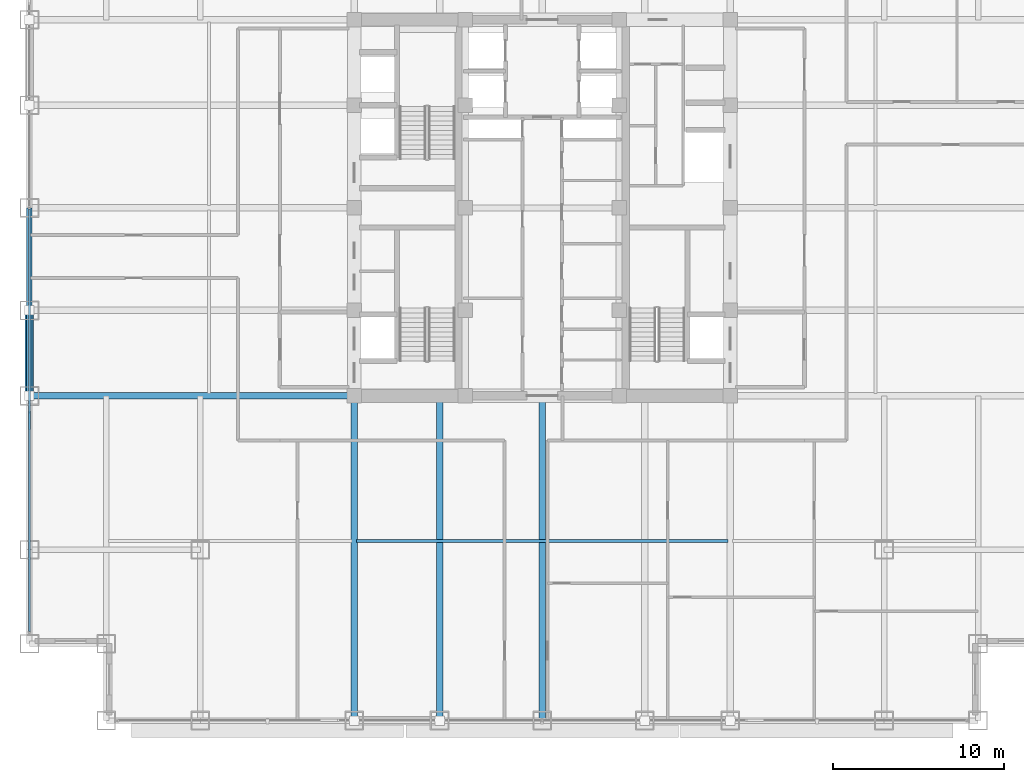
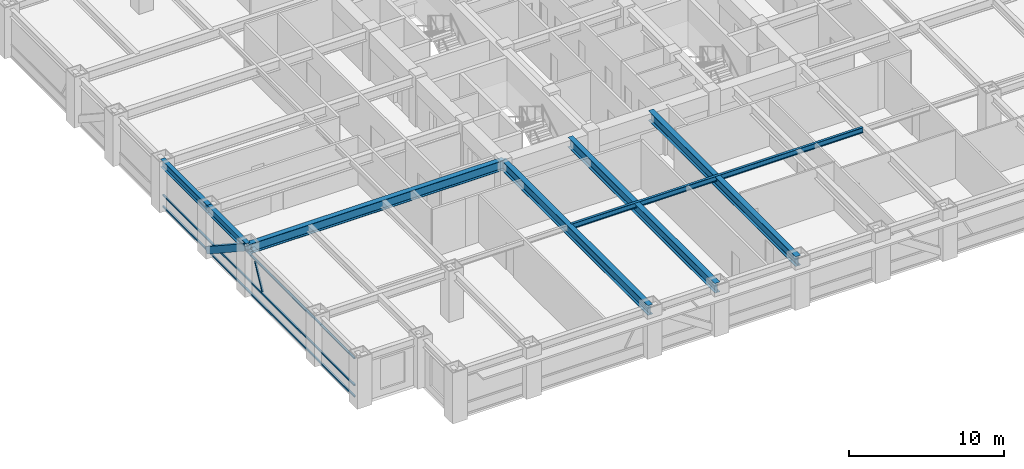
# One storey, part 5 of 28: 7 beams, 5 members, 1 element without a shape of its own.
"""IFC4 building model written with IfcOpenShell, lengths in metres."""

from ifc_helpers import new_model, si_unit, direction, frame, origin, origin_2d, place, context, subcontext, project, spatial, hollow_rectangle, i_section, extrude, source, transform, mapped, material, material_profile, profile_set, type_object, element, aggregate, save


model = new_model("IFC4")

# Units and contexts
model_context = context("Model", 3, precision=1e-05, world=origin(), true_north=direction((0.0, 1.0)))
body_context = subcontext(model_context, "Body", "Model", "MODEL_VIEW")
ifc_project = project(units=[si_unit("LENGTHUNIT", "METRE"), si_unit("AREAUNIT", "SQUARE_METRE"), si_unit("VOLUMEUNIT", "CUBIC_METRE"), si_unit("PLANEANGLEUNIT", "RADIAN"), si_unit("MASSUNIT", "GRAM", prefix="KILO")], contexts=[model_context])

# Site, building, storey
site_placement = place(None, origin())
site = spatial("IfcSite", under=ifc_project, at=site_placement, CompositionType="ELEMENT")
building_placement = place(site_placement, origin())
building = spatial("IfcBuilding", under=site, at=building_placement, Name="Khorayat Bourse Tower", CompositionType="ELEMENT")
storey_placement = place(building_placement, frame((0.0, 0.0, 191.10009765625)))
storey = spatial("IfcBuildingStorey", under=building, at=storey_placement, Name="L44", CompositionType="ELEMENT", Elevation=191.10009765625)

# Beams
ifc_material_1 = material(Name="Steel ASTM A992 Grade 50", Category="steel")
ifc_material_profile_1 = material_profile(ifc_material_1, i_section(OverallWidth=0.381103515625, OverallDepth=0.77294921875, WebThickness=0.0166015625, FlangeThickness=0.027587890625, FilletRadius=0.01806640625, at=origin_2d()), Name="W760X257")
ifc_profile_set_1 = profile_set([ifc_material_profile_1], Name="Steel ASTM A992 Grade 50")
beam_type_1 = type_object("IfcBeamType", Name="BM-GIRD-760", PredefinedType="BEAM", material=ifc_profile_set_1)
shared_shape_1 = source(origin(), body_context, "Body", "SweptSolid", [
    extrude(i_section(OverallWidth=0.381103515625, OverallDepth=0.77294921875, WebThickness=0.0166015625, FlangeThickness=0.027587890625, FilletRadius=0.01806640625, at=origin_2d()), origin(), (0.0, 0.0, 1.0), 19.0),
])
for number, where, z_axis, x_axis, name in (
    (1, (-11.0, -30.0, 3.393310546875), (0.0, 1.0, 0.0), (-1.0, 0.0, 0.0), "L44 BM-GIRD-760 BM-L44-RADY-065"),
    (2, (-6.0, -30.0, 3.393310546875), (0.0, 1.0, 0.0), (-1.0, 0.0, 0.0), "L44 BM-GIRD-760 BM-L44-RADY-067"),
    (3, (0.0, -30.0, 3.393310546875), (0.0, 1.0, 0.0), (-1.0, 0.0, 0.0), "L44 BM-GIRD-760 BM-L44-RADY-069"),
    (4, (-30.0, -11.0, 3.393310546875), (1.0, 0.0, 0.0), (0.0, 1.0, 0.0), "L44 BM-GIRD-760 BM-L44-RADX-075"),
):
    element("IfcBeam", number, at=place(storey_placement, frame(where, z_axis=z_axis, x_axis=x_axis)), inside=storey, type_object=beam_type_1, Name=name, PredefinedType="BEAM", context=body_context, shape_type="MappedRepresentation", body=[
        mapped(shared_shape_1, transform((0.0, 0.0, 0.0), scale=1.0)),
    ])
ifc_material_profile_2 = material_profile(ifc_material_1, i_section(OverallWidth=0.180908203125, OverallDepth=0.4169921875, WebThickness=0.010986328125, FlangeThickness=0.018310546875, FilletRadius=0.011962890625, at=origin_2d()), Name="W410X85")
ifc_profile_set_2 = profile_set([ifc_material_profile_2], Name="Steel ASTM A992 Grade 50")
beam_type_2 = type_object("IfcBeamType", Name="BM-JOIST-410", PredefinedType="JOIST", material=ifc_profile_set_2)
shared_shape_2 = source(origin(), body_context, "Body", "SweptSolid", [
    extrude(i_section(OverallWidth=0.180908203125, OverallDepth=0.4169921875, WebThickness=0.010986328125, FlangeThickness=0.018310546875, FilletRadius=0.011962890625, at=origin_2d()), origin(), (0.0, 0.0, 1.0), 21.740234375),
])
beam_1_placement = place(storey_placement, frame((-10.8701171875, -19.5, 3.5712890625), z_axis=(1.0, 0.0, 0.0), x_axis=(0.0, 1.0, 0.0)))
element("IfcBeam", 5, at=beam_1_placement, inside=storey, type_object=beam_type_2, Name="L44 BM-JOIST-410 BM-L44-JSTX-097", PredefinedType="JOIST", context=body_context, shape_type="MappedRepresentation", body=[
    mapped(shared_shape_2, transform((0.0, 0.0, 0.0), scale=1.0)),
])
ifc_material_profile_3 = material_profile(ifc_material_1, i_section(OverallWidth=0.324951171875, OverallDepth=0.615966796875, WebThickness=0.013916015625, FlangeThickness=0.021484375, FilletRadius=0.01611328125, at=origin_2d()), Name="W610X174")
ifc_profile_set_3 = profile_set([ifc_material_profile_3], Name="Steel ASTM A992 Grade 50")
beam_type_3 = type_object("IfcBeamType", Name="BM-SPAN-610", PredefinedType="SPANDREL", material=ifc_profile_set_3)
shared_shape_3 = source(origin(), body_context, "Body", "SweptSolid", [
    extrude(i_section(OverallWidth=0.324951171875, OverallDepth=0.615966796875, WebThickness=0.013916015625, FlangeThickness=0.021484375, FilletRadius=0.01611328125, at=origin_2d()), origin(), (0.0, 0.0, 1.0), 5.0),
])
beam_2_placement = place(storey_placement, frame((-30.0, -11.0, 3.471923828125), z_axis=(0.0, 1.0, 0.0), x_axis=(-1.0, 0.0, 0.0)))
element("IfcBeam", 6, at=beam_2_placement, inside=storey, type_object=beam_type_3, Name="L44 BM-SPAN-610 BM-L44-SPN-059", PredefinedType="SPANDREL", context=body_context, shape_type="MappedRepresentation", body=[
    mapped(shared_shape_3, transform((0.0, 0.0, 0.0), scale=1.0)),
])
shared_shape_4 = source(origin(), body_context, "Body", "SweptSolid", [
    extrude(i_section(OverallWidth=0.324951171875, OverallDepth=0.615966796875, WebThickness=0.013916015625, FlangeThickness=0.021484375, FilletRadius=0.01611328125, at=origin_2d()), origin(), (0.0, 0.0, 1.0), 6.0),
])
beam_3_placement = place(storey_placement, frame((-30.0, -6.0, 3.471923828125), z_axis=(0.0, 1.0, 0.0), x_axis=(-1.0, 0.0, 0.0)))
element("IfcBeam", 7, at=beam_3_placement, inside=storey, type_object=beam_type_3, Name="L44 BM-SPAN-610 BM-L44-SPN-058", PredefinedType="SPANDREL", context=body_context, shape_type="MappedRepresentation", body=[
    mapped(shared_shape_4, transform((0.0, 0.0, 0.0), scale=1.0)),
])

# Member
ifc_material_2 = material(Name="Steel EN 10025-4 S460M", Category="steel")
ifc_material_profile_4 = material_profile(ifc_material_2, hollow_rectangle(XDim=0.5, YDim=0.5, WallThickness=0.028076171875, at=origin_2d()), Name="HSS 500x500x28")
ifc_profile_set_4 = profile_set([ifc_material_profile_4], Name="Steel EN 10025-4 S460M")
member_type_1 = type_object("IfcMemberType", Name="MBR-TUBE-500", PredefinedType="BRACE", material=ifc_profile_set_4)
shared_shape_5 = source(origin(), body_context, "Body", "SweptSolid", [
    extrude(hollow_rectangle(XDim=0.5, YDim=0.5, WallThickness=0.028076171875, at=origin_2d()), origin(), (0.0, 0.0, 1.0), 5.979736328125),
])
member_1_placement = place(storey_placement, frame((-30.0, -11.0, 3.52978515625), z_axis=(0.0, 0.836160261256, -0.548485202623), x_axis=(-1.0, 0.0, 0.0)))
element("IfcMember", 8, at=member_1_placement, inside=storey, type_object=member_type_1, Name="L44 Perimeter Tube Brace 05", PredefinedType="BRACE", context=body_context, shape_type="MappedRepresentation", body=[
    mapped(shared_shape_5, transform((0.0, 0.0, 0.0), scale=1.0)),
])

# Curtain wall, members
ifc_material_3 = material(Name="Aluminium EN AW-6063 T6", Category="aluminium")
curtain_wall_type = type_object("IfcCurtainWallType", Name="CW-SYS-03", PredefinedType="NOTDEFINED", material=ifc_material_3)
curtain_wall_placement = place(storey_placement, origin())
curtain_wall = element("IfcCurtainWall", 9, at=curtain_wall_placement, inside=storey, type_object=curtain_wall_type, Name="L44 Curtain Wall CW-L44-W1", PredefinedType="NOTDEFINED")
ifc_material_profile_5 = material_profile(ifc_material_3, hollow_rectangle(XDim=0.1201171875, YDim=0.1201171875, WallThickness=0.0048828125, at=origin_2d()), Name="ALU 120x120x5")
ifc_profile_set_5 = profile_set([ifc_material_profile_5], Name="Aluminium EN AW-6063 T6")
member_type_2 = type_object("IfcMemberType", Name="CWM-DIAG-120", PredefinedType="MULLION", material=ifc_profile_set_5)
shared_shape_6 = source(origin(), body_context, "Body", "SweptSolid", [
    extrude(hollow_rectangle(XDim=0.1201171875, YDim=0.1201171875, WallThickness=0.0048828125, at=origin_2d()), origin(), (0.0, 0.0, 1.0), 2.079345703125),
])
member_2_placement = place(storey_placement, frame((-30.0, -12.904296875, 1.08984375), z_axis=(0.0, 0.465760949701, 0.884910581773), x_axis=(-1.0, 0.0, 0.0)))
member_2 = element("IfcMember", 10, at=member_2_placement, type_object=member_type_2, Name="CW-L44-W1 Faceted Diagonal Mullion 1", PredefinedType="MULLION", context=body_context, shape_type="MappedRepresentation", body=[
    mapped(shared_shape_6, transform((0.0, 0.0, 0.0), scale=1.0)),
])
ifc_material_profile_6 = material_profile(ifc_material_3, hollow_rectangle(XDim=0.1201171875, YDim=0.1201171875, WallThickness=0.0048828125, at=origin_2d()), Name="ALU 120x120x5")
ifc_profile_set_6 = profile_set([ifc_material_profile_6], Name="Aluminium EN AW-6063 T6")
member_type_3 = type_object("IfcMemberType", Name="CWT-HORZ-120", PredefinedType="USERDEFINED", material=ifc_profile_set_6)
shared_shape_7 = source(origin(), body_context, "Body", "SweptSolid", [
    extrude(hollow_rectangle(XDim=0.1201171875, YDim=0.1201171875, WallThickness=0.0048828125, at=origin_2d()), origin(), (0.0, 0.0, 1.0), 24.719970703125),
])
member_3_placement = place(storey_placement, frame((-30.0, -24.780029296875, 0.059814453125), z_axis=(0.0, 1.0, 0.0), x_axis=(-1.0, 0.0, 0.0)))
member_3 = element("IfcMember", 11, at=member_3_placement, type_object=member_type_3, Name="CW-L44-W1 Horizontal Transom 1-1", ObjectType="TRANSOM", PredefinedType="USERDEFINED", context=body_context, shape_type="MappedRepresentation", body=[
    mapped(shared_shape_7, transform((0.0, 0.0, 0.0), scale=1.0)),
])
member_4_placement = place(storey_placement, frame((-30.0, -24.780029296875, 0.949951171875), z_axis=(0.0, 1.0, 0.0), x_axis=(-1.0, 0.0, 0.0)))
member_4 = element("IfcMember", 12, at=member_4_placement, type_object=member_type_3, Name="CW-L44-W1 Horizontal Transom 1-2", ObjectType="TRANSOM", PredefinedType="USERDEFINED", context=body_context, shape_type="MappedRepresentation", body=[
    mapped(shared_shape_7, transform((0.0, 0.0, 0.0), scale=1.0)),
])
member_5_placement = place(storey_placement, frame((-30.0, -24.780029296875, 3.06982421875), z_axis=(0.0, 1.0, 0.0), x_axis=(-1.0, 0.0, 0.0)))
member_5 = element("IfcMember", 13, at=member_5_placement, type_object=member_type_3, Name="CW-L44-W1 Horizontal Transom 1-3", ObjectType="TRANSOM", PredefinedType="USERDEFINED", context=body_context, shape_type="MappedRepresentation", body=[
    mapped(shared_shape_7, transform((0.0, 0.0, 0.0), scale=1.0)),
])
aggregate(curtain_wall, [member_3, member_4, member_5, member_2])

save(model, "model.ifc")
